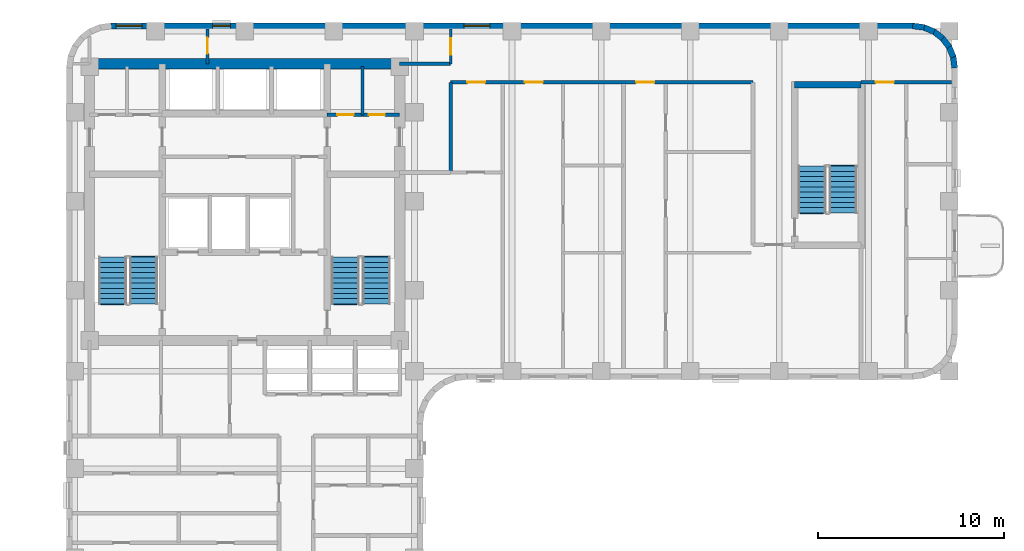
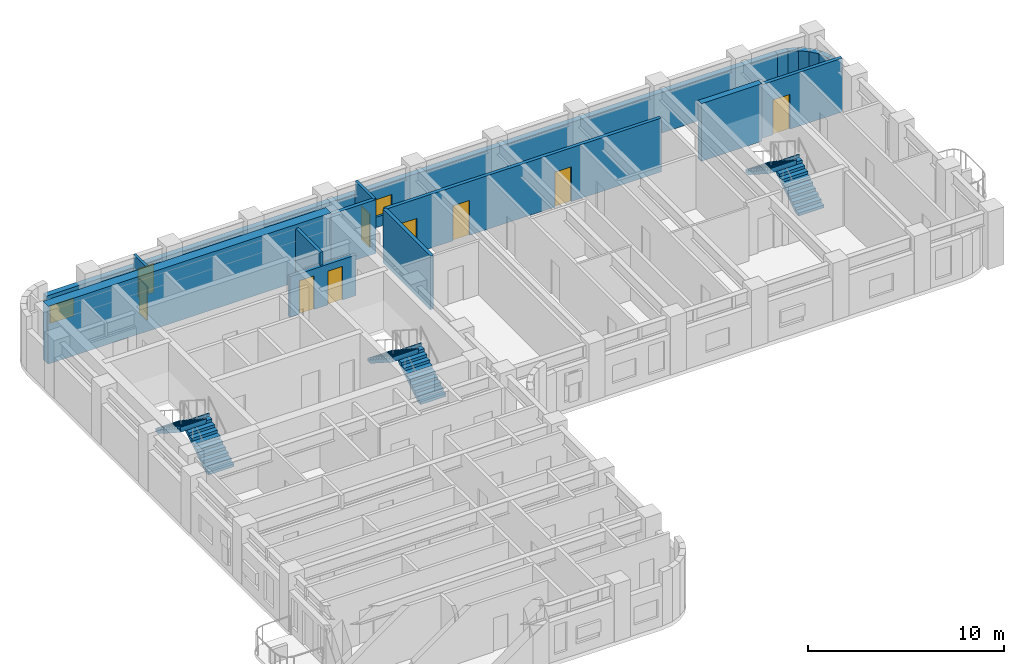
# One storey, part 7 of 10: 17 walls, 8 doors, 6 stair flights, 3 windows, 11 openings, 3 elements without a shape of their own.
"""IFC4 building model written with IfcOpenShell, lengths in metres."""

from ifc_helpers import new_model, si_unit, direction, frame, frame_2d, origin, place, context, subcontext, project, spatial, polyline, rectangle, outline, extrude, material, layer, layer_set, type_object, element, fill, aggregate, save


model = new_model("IFC4")

# Units and contexts
model_context = context("Model", 3, precision=1e-05, world=origin(), true_north=direction((0.0, 1.0)))
body_context = subcontext(model_context, "Body", "Model", "MODEL_VIEW")
ifc_project = project(units=[si_unit("LENGTHUNIT", "METRE"), si_unit("AREAUNIT", "SQUARE_METRE"), si_unit("VOLUMEUNIT", "CUBIC_METRE"), si_unit("PLANEANGLEUNIT", "RADIAN"), si_unit("MASSUNIT", "GRAM", prefix="KILO")], contexts=[model_context])

# Site, building, storey
site_placement = place(None, origin())
site = spatial("IfcSite", under=ifc_project, at=site_placement, CompositionType="ELEMENT")
building_placement = place(site_placement, origin())
building = spatial("IfcBuilding", under=site, at=building_placement, Name="Orvandelia Arch Residences", CompositionType="ELEMENT")
storey_placement = place(building_placement, frame((0.0, 0.0, 110.800048828125)))
storey = spatial("IfcBuildingStorey", under=building, at=storey_placement, Name="L28", CompositionType="ELEMENT", Elevation=110.800048828125)

# Walls
ifc_material_1 = material(Name="Concrete C50/60", Category="concrete")
ifc_layer_1 = layer(ifc_material_1, 0.35009765625, Name="Concrete C50/60", Category="concrete")
ifc_layer_set_1 = layer_set([ifc_layer_1], Name="Concrete C50/60")
wall_type_1 = type_object("IfcWallType", Name="WL-CORE-350", PredefinedType="SHEAR", material=ifc_layer_set_1)
wall_1_placement = place(storey_placement, frame((44.02001953125, 44.659912109375, 0.0), z_axis=(0.0, 0.0, 1.0), x_axis=(1.0, 0.0, 0.0)))
element("IfcWall", 1, at=wall_1_placement, inside=storey, type_object=wall_type_1, Name="East Stair Core Shear Wall L28-N", PredefinedType="SHEAR", context=body_context, shape_type="SweptSolid", body=[
    extrude(rectangle(XDim=3.580078125, YDim=0.35009765625, at=frame_2d((1.7900390625, 0.0))), origin(), (0.0, 0.0, 1.0), 3.599853515625),
])
ifc_material_2 = material(Name="Concrete C60/75", Category="concrete")
ifc_layer_2 = layer(ifc_material_2, 0.550048828125, Name="Concrete C60/75", Category="concrete")
ifc_layer_set_2 = layer_set([ifc_layer_2], Name="Concrete C60/75")
wall_type_2 = type_object("IfcWallType", Name="WL-CORE-550", PredefinedType="SHEAR", material=ifc_layer_set_2)
wall_2_placement = place(storey_placement, frame((6.050048828125, 45.800048828125, 0.0), z_axis=(0.0, 0.0, 1.0), x_axis=(1.0, 0.0, 0.0)))
element("IfcWall", 2, at=wall_2_placement, inside=storey, type_object=wall_type_2, Name="Core Shear Wall L28-N", PredefinedType="SHEAR", context=body_context, shape_type="SweptSolid", body=[
    extrude(rectangle(XDim=16.699951171875, YDim=0.550048828125, at=frame_2d((8.35009765625, 0.0))), origin(), (0.0, 0.0, 1.0), 3.599853515625),
])
ifc_material_3 = material(Name="Fire-Rated Corridor Partition")
ifc_layer_3 = layer(ifc_material_3, 0.199951171875, Name="Fire-Rated Corridor Partition")
ifc_layer_set_3 = layer_set([ifc_layer_3], Name="Fire-Rated Corridor Partition")
wall_type_3 = type_object("IfcWallType", Name="WL-CORR-200", PredefinedType="PARTITIONING", material=ifc_layer_set_3)
wall_3_placement = place(storey_placement, frame((22.75, 45.800048828125, 0.0), z_axis=(0.0, 0.0, 1.0), x_axis=(1.0, 0.0, 0.0)))
element("IfcWall", 3, at=wall_3_placement, inside=storey, type_object=wall_type_3, Name="Interior Partition Wall WL-L28-NCE-S", PredefinedType="PARTITIONING", context=body_context, shape_type="SweptSolid", body=[
    extrude(rectangle(XDim=2.75, YDim=0.199951171875, at=frame_2d((1.375, 0.0))), origin(), (0.0, 0.0, 1.0), 3.35986328125),
])

# Wall, openings, doors
wall_4_placement = place(storey_placement, frame((25.5, 44.800048828125, 0.0), z_axis=(0.0, 0.0, 1.0), x_axis=(1.0, 0.0, 0.0)))
wall_4 = element("IfcWall", 4, at=wall_4_placement, inside=storey, type_object=wall_type_3, Name="Interior Partition Wall WL-L28-EN2-S1", PredefinedType="PARTITIONING", context=body_context, shape_type="SweptSolid", body=[
    extrude(rectangle(XDim=16.280029296875, YDim=0.199951171875, at=frame_2d((8.14013671875, 0.0))), origin(), (0.0, 0.0, 1.0), 3.35986328125),
])
opening_1_placement = place(wall_4_placement, frame((0.89990234375, 0.0, 0.0)))
opening_1 = element("IfcOpeningElement", 5, at=opening_1_placement, cuts=wall_4, Name="Opening D2", PredefinedType="OPENING", context=body_context, shape_type="SweptSolid", body=[
    extrude(rectangle(XDim=0.949951171875, YDim=2.14990234375, at=frame_2d((0.47509765625, 1.074951171875))), frame((0.0, 0.10986328125, 0.0), z_axis=(0.0, -1.0, 0.0), x_axis=(1.0, 0.0, 0.0)), (0.0, 0.0, 1.0), 0.219970703125),
])
opening_2_placement = place(wall_4_placement, frame((3.987548828125, 0.0, 0.0)))
opening_2 = element("IfcOpeningElement", 6, at=opening_2_placement, cuts=wall_4, Name="Opening D1", PredefinedType="OPENING", context=body_context, shape_type="SweptSolid", body=[
    extrude(rectangle(XDim=0.97998046875, YDim=2.179931640625, at=frame_2d((0.489990234375, 1.08984375))), frame((0.0, 0.10986328125, 0.0), z_axis=(0.0, -1.0, 0.0), x_axis=(1.0, 0.0, 0.0)), (0.0, 0.0, 1.0), 0.219970703125),
])
opening_3_placement = place(wall_4_placement, frame((9.989990234375, 0.0, 0.0)))
opening_3 = element("IfcOpeningElement", 7, at=opening_3_placement, cuts=wall_4, Name="Opening D1", PredefinedType="OPENING", context=body_context, shape_type="SweptSolid", body=[
    extrude(rectangle(XDim=0.97998046875, YDim=2.179931640625, at=frame_2d((0.489990234375, 1.08984375))), frame((0.0, 0.10986328125, 0.0), z_axis=(0.0, -1.0, 0.0), x_axis=(1.0, 0.0, 0.0)), (0.0, 0.0, 1.0), 0.219970703125),
])
ifc_material_4 = material(Name="Solid-Core Timber Interior Fire Door", Category="wood")
door_type_1 = type_object("IfcDoorType", Name="DR-APT-950", OperationType="NOTDEFINED", PredefinedType="DOOR", material=ifc_material_4)
door_1_placement = place(opening_1_placement, origin())
door_1 = element("IfcDoor", 8, at=door_1_placement, inside=storey, type_object=door_type_1, Name="DR-L28-EN2KLD", OperationType="SINGLE_SWING_LEFT", OverallHeight=2.14990234375, OverallWidth=0.949951171875, PredefinedType="DOOR", context=body_context, shape_type="SweptSolid", body=[
    extrude(rectangle(XDim=0.949951171875, YDim=2.14990234375, at=frame_2d((0.47509765625, 1.074951171875))), frame((0.0, 0.02490234375, 0.0), z_axis=(0.0, -1.0, 0.0), x_axis=(1.0, 0.0, 0.0)), (0.0, 0.0, 1.0), 0.050048828125),
])
fill(opening_1, door_1)
ifc_material_5 = material(Name="Solid-Core Timber Acoustic Fire Door", Category="wood")
door_type_2 = type_object("IfcDoorType", Name="DR-ENT-980", OperationType="NOTDEFINED", PredefinedType="DOOR", material=ifc_material_5)
door_2_placement = place(opening_2_placement, origin())
door_2 = element("IfcDoor", 9, at=door_2_placement, inside=storey, type_object=door_type_2, Name="Unit L28-08 Entrance Door", OperationType="SINGLE_SWING_RIGHT", OverallHeight=2.179931640625, OverallWidth=0.97998046875, PredefinedType="DOOR", context=body_context, shape_type="SweptSolid", body=[
    extrude(rectangle(XDim=0.97998046875, YDim=2.179931640625, at=frame_2d((0.489990234375, 1.08984375))), frame((0.0, 0.02490234375, 0.0), z_axis=(0.0, -1.0, 0.0), x_axis=(1.0, 0.0, 0.0)), (0.0, 0.0, 1.0), 0.050048828125),
])
fill(opening_2, door_2)
door_3_placement = place(opening_3_placement, origin())
door_3 = element("IfcDoor", 10, at=door_3_placement, inside=storey, type_object=door_type_2, Name="Unit L28-09 Entrance Door", OperationType="SINGLE_SWING_LEFT", OverallHeight=2.179931640625, OverallWidth=0.97998046875, PredefinedType="DOOR", context=body_context, shape_type="SweptSolid", body=[
    extrude(rectangle(XDim=0.97998046875, YDim=2.179931640625, at=frame_2d((0.489990234375, 1.08984375))), frame((0.0, 0.02490234375, 0.0), z_axis=(0.0, -1.0, 0.0), x_axis=(1.0, 0.0, 0.0)), (0.0, 0.0, 1.0), 0.050048828125),
])
fill(opening_3, door_3)

# Wall, opening, door
wall_5_placement = place(storey_placement, frame((47.60009765625, 44.800048828125, 0.0), z_axis=(0.0, 0.0, 1.0), x_axis=(1.0, 0.0, 0.0)))
wall_5 = element("IfcWall", 11, at=wall_5_placement, inside=storey, type_object=wall_type_3, Name="Interior Partition Wall WL-L28-EN2-S2", PredefinedType="PARTITIONING", context=body_context, shape_type="SweptSolid", body=[
    extrude(rectangle(XDim=4.8798828125, YDim=0.199951171875, at=frame_2d((2.43994140625, 0.0))), origin(), (0.0, 0.0, 1.0), 3.35986328125),
])
opening_4_placement = place(wall_5_placement, frame((0.79150390625, 0.0, 0.0)))
opening_4 = element("IfcOpeningElement", 12, at=opening_4_placement, cuts=wall_5, Name="Opening D1", PredefinedType="OPENING", context=body_context, shape_type="SweptSolid", body=[
    extrude(rectangle(XDim=0.97998046875, YDim=2.179931640625, at=frame_2d((0.489990234375, 1.08984375))), frame((0.0, 0.10986328125, 0.0), z_axis=(0.0, -1.0, 0.0), x_axis=(1.0, 0.0, 0.0)), (0.0, 0.0, 1.0), 0.219970703125),
])
door_4_placement = place(opening_4_placement, origin())
door_4 = element("IfcDoor", 13, at=door_4_placement, inside=storey, type_object=door_type_2, Name="Unit L28-10 Entrance Door", OperationType="SINGLE_SWING_RIGHT", OverallHeight=2.179931640625, OverallWidth=0.97998046875, PredefinedType="DOOR", context=body_context, shape_type="SweptSolid", body=[
    extrude(rectangle(XDim=0.97998046875, YDim=2.179931640625, at=frame_2d((0.489990234375, 1.08984375))), frame((0.0, 0.02490234375, 0.0), z_axis=(0.0, -1.0, 0.0), x_axis=(1.0, 0.0, 0.0)), (0.0, 0.0, 1.0), 0.050048828125),
])
fill(opening_4, door_4)

# Wall
wall_6_placement = place(storey_placement, frame((25.5, 39.949951171875, 0.0), z_axis=(0.0, 0.0, 1.0), x_axis=(0.0, 1.0, 0.0)))
element("IfcWall", 14, at=wall_6_placement, inside=storey, type_object=wall_type_3, Name="Interior Partition Wall WL-L28-EN2-LW", PredefinedType="PARTITIONING", context=body_context, shape_type="SweptSolid", body=[
    extrude(rectangle(XDim=4.85009765625, YDim=0.199951171875, at=frame_2d((2.425048828125, 0.0))), origin(), (0.0, 0.0, 1.0), 3.35986328125),
])

# Wall, openings, windows
ifc_material_6 = material(Name="Precast concrete C40/50", Category="concrete")
ifc_layer_4 = layer(ifc_material_6, 0.320068359375, Name="Precast concrete C40/50", Category="concrete")
ifc_layer_set_4 = layer_set([ifc_layer_4], Name="Precast concrete C40/50")
wall_type_4 = type_object("IfcWallType", Name="WL-EXT-STONE-320", PredefinedType="STANDARD", material=ifc_layer_set_4)
wall_7_placement = place(storey_placement, frame((7.199951171875, 47.840087890625, 0.0), z_axis=(0.0, 0.0, 1.0), x_axis=(1.0, 0.0, 0.0)))
wall_7 = element("IfcWall", 15, at=wall_7_placement, inside=storey, type_object=wall_type_4, Name="Coral-Limestone Precast Facade Wall L28-007", PredefinedType="STANDARD", context=body_context, shape_type="SweptSolid", body=[
    extrude(rectangle(XDim=43.199951171875, YDim=0.320068359375, at=frame_2d((21.60009765625, 0.0))), origin(), (0.0, 0.0, 1.0), 2.5400390625),
])
opening_5_placement = place(wall_7_placement, frame((19.00244140625, 0.0, 0.64990234375)))
opening_5 = element("IfcOpeningElement", 16, at=opening_5_placement, cuts=wall_7, Name="Opening W10", PredefinedType="OPENING", context=body_context, shape_type="SweptSolid", body=[
    extrude(rectangle(XDim=1.39990234375, YDim=1.10009765625, at=frame_2d((0.699951171875, 0.550048828125))), frame((0.0, 0.169921875, 0.0), z_axis=(0.0, -1.0, 0.0), x_axis=(1.0, 0.0, 0.0)), (0.0, 0.0, 1.0), 0.340087890625),
])
opening_6_placement = place(wall_7_placement, frame((0.282470703125, 0.0, 0.64990234375)))
opening_6 = element("IfcOpeningElement", 17, at=opening_6_placement, cuts=wall_7, Name="Opening W10", PredefinedType="OPENING", context=body_context, shape_type="SweptSolid", body=[
    extrude(rectangle(XDim=1.39990234375, YDim=1.10009765625, at=frame_2d((0.699951171875, 0.550048828125))), frame((0.0, 0.169921875, 0.0), z_axis=(0.0, -1.0, 0.0), x_axis=(1.0, 0.0, 0.0)), (0.0, 0.0, 1.0), 0.340087890625),
])
opening_7_placement = place(wall_7_placement, frame((5.4775390625, 0.0, 0.449951171875)))
opening_7 = element("IfcOpeningElement", 18, at=opening_7_placement, cuts=wall_7, Name="Opening W4", PredefinedType="OPENING", context=body_context, shape_type="SweptSolid", body=[
    extrude(rectangle(XDim=0.949951171875, YDim=1.800048828125, at=frame_2d((0.47509765625, 0.89990234375))), frame((0.0, 0.169921875, 0.0), z_axis=(0.0, -1.0, 0.0), x_axis=(1.0, 0.0, 0.0)), (0.0, 0.0, 1.0), 0.340087890625),
])
ifc_material_7 = material(Name="Tempered Low-E Insulated Glazing", Category="glass")
window_type_1 = type_object("IfcWindowType", Name="WIN-CLR-1400x1100", PartitioningType="SINGLE_PANEL", PredefinedType="WINDOW", material=ifc_material_7)
window_1_placement = place(opening_5_placement, origin())
window_1 = element("IfcWindow", 19, at=window_1_placement, inside=storey, type_object=window_type_1, Name="Recessed Punched Window L28-001", OverallHeight=1.10009765625, OverallWidth=1.39990234375, PartitioningType="SINGLE_PANEL", PredefinedType="WINDOW", context=body_context, shape_type="SweptSolid", body=[
    extrude(rectangle(XDim=1.39990234375, YDim=1.10009765625, at=frame_2d((0.699951171875, 0.550048828125))), frame((0.0, 0.030029296875, 0.0), z_axis=(0.0, -1.0, 0.0), x_axis=(1.0, 0.0, 0.0)), (0.0, 0.0, 1.0), 0.06005859375),
])
fill(opening_5, window_1)
window_2_placement = place(opening_6_placement, origin())
window_2 = element("IfcWindow", 20, at=window_2_placement, inside=storey, type_object=window_type_1, Name="Recessed Punched Window L28-002", OverallHeight=1.10009765625, OverallWidth=1.39990234375, PartitioningType="SINGLE_PANEL", PredefinedType="WINDOW", context=body_context, shape_type="SweptSolid", body=[
    extrude(rectangle(XDim=1.39990234375, YDim=1.10009765625, at=frame_2d((0.699951171875, 0.550048828125))), frame((0.0, 0.030029296875, 0.0), z_axis=(0.0, -1.0, 0.0), x_axis=(1.0, 0.0, 0.0)), (0.0, 0.0, 1.0), 0.06005859375),
])
fill(opening_6, window_2)
window_type_2 = type_object("IfcWindowType", Name="WIN-RES-0950x1800", PartitioningType="SINGLE_PANEL", PredefinedType="WINDOW", material=ifc_material_7)
window_3_placement = place(opening_7_placement, origin())
window_3 = element("IfcWindow", 21, at=window_3_placement, inside=storey, type_object=window_type_2, Name="Recessed Punched Window L28-003", OverallHeight=1.800048828125, OverallWidth=0.949951171875, PartitioningType="SINGLE_PANEL", PredefinedType="WINDOW", context=body_context, shape_type="SweptSolid", body=[
    extrude(rectangle(XDim=0.949951171875, YDim=1.800048828125, at=frame_2d((0.47509765625, 0.89990234375))), frame((0.0, 0.030029296875, 0.0), z_axis=(0.0, -1.0, 0.0), x_axis=(1.0, 0.0, 0.0)), (0.0, 0.0, 1.0), 0.06005859375),
])
fill(opening_7, window_3)

# Walls
for number, where, z_axis, x_axis, name in (
    (22, (50.379150390625, 47.84130859375, 0.0), (0.0, 0.0, 1.0), (0.9914410257, -0.130555323746, 0.0), "Coral-Limestone Precast Facade Wall L28-008"),
    (23, (50.9599609375, 47.7705078125, 0.0), (0.0, 0.0, 1.0), (0.92389335771, -0.382650053678, 0.0), "Coral-Limestone Precast Facade Wall L28-009"),
    (24, (51.502685546875, 47.551513671875, 0.0), (0.0, 0.0, 1.0), (0.793405610854, -0.608693302629, 0.0), "Coral-Limestone Precast Facade Wall L28-010"),
    (25, (51.97021484375, 47.19970703125, 0.0), (0.0, 0.0, 1.0), (0.608693302629, -0.793405610854, 0.0), "Coral-Limestone Precast Facade Wall L28-011"),
    (26, (52.330810546875, 46.73876953125, 0.0), (0.0, 0.0, 1.0), (0.382317370307, -0.924031075431, 0.0), "Coral-Limestone Precast Facade Wall L28-012"),
    (27, (52.5595703125, 46.2001953125, 0.0), (0.0, 0.0, 1.0), (0.130555323746, -0.9914410257, 0.0), "Coral-Limestone Precast Facade Wall L28-013"),
):
    element("IfcWall", number, at=place(storey_placement, frame(where, z_axis=z_axis, x_axis=x_axis)), inside=storey, type_object=wall_type_4, Name=name, PredefinedType="STANDARD", context=body_context, shape_type="SweptSolid", body=[
        extrude(rectangle(XDim=0.62646484375, YDim=0.320068359375, at=frame_2d((0.313232421875, 0.0))), origin(), (0.0, 0.0, 1.0), 2.5400390625),
    ])

# Wall, opening, door
ifc_material_8 = material(Name="Acoustic Gypsum Stud Partition")
ifc_layer_5 = layer(ifc_material_8, 0.14990234375, Name="Acoustic Gypsum Stud Partition")
ifc_layer_set_5 = layer_set([ifc_layer_5], Name="Acoustic Gypsum Stud Partition")
wall_type_5 = type_object("IfcWallType", Name="WL-PART-150", PredefinedType="PARTITIONING", material=ifc_layer_set_5)
wall_8_placement = place(storey_placement, frame((25.5, 45.800048828125, 0.0), z_axis=(0.0, 0.0, 1.0), x_axis=(0.0, 1.0, 0.0)))
wall_8 = element("IfcWall", 28, at=wall_8_placement, inside=storey, type_object=wall_type_5, Name="Interior Partition Wall WL-L28-NCE-W", PredefinedType="PARTITIONING", context=body_context, shape_type="SweptSolid", body=[
    extrude(rectangle(XDim=1.8798828125, YDim=0.14990234375, at=frame_2d((0.93994140625, 0.0))), origin(), (0.0, 0.0, 1.0), 3.35986328125),
])
opening_8_placement = place(wall_8_placement, frame((0.5, 0.0, 0.0)))
opening_8 = element("IfcOpeningElement", 29, at=opening_8_placement, cuts=wall_8, Name="Opening D5", PredefinedType="OPENING", context=body_context, shape_type="SweptSolid", body=[
    extrude(rectangle(XDim=0.8798828125, YDim=2.10009765625, at=frame_2d((0.43994140625, 1.050048828125))), frame((0.0, 0.0849609375, 0.0), z_axis=(0.0, -1.0, 0.0), x_axis=(1.0, 0.0, 0.0)), (0.0, 0.0, 1.0), 0.169921875),
])
ifc_material_9 = material(Name="Painted Galvanised Steel Service Door", Category="steel")
door_type_3 = type_object("IfcDoorType", Name="DR-SRV-880", OperationType="NOTDEFINED", PredefinedType="DOOR", material=ifc_material_9)
door_5_placement = place(opening_8_placement, origin())
door_5 = element("IfcDoor", 30, at=door_5_placement, inside=storey, type_object=door_type_3, Name="DR-L28-NCS2", OperationType="SINGLE_SWING_LEFT", OverallHeight=2.10009765625, OverallWidth=0.8798828125, PredefinedType="DOOR", context=body_context, shape_type="SweptSolid", body=[
    extrude(rectangle(XDim=0.8798828125, YDim=2.10009765625, at=frame_2d((0.43994140625, 1.050048828125))), frame((0.0, 0.02490234375, 0.0), z_axis=(0.0, -1.0, 0.0), x_axis=(1.0, 0.0, 0.0)), (0.0, 0.0, 1.0), 0.050048828125),
])
fill(opening_8, door_5)

wall_9_placement = place(storey_placement, frame((12.39990234375, 45.800048828125, 0.0), z_axis=(0.0, 0.0, 1.0), x_axis=(0.0, 1.0, 0.0)))
wall_9 = element("IfcWall", 31, at=wall_9_placement, inside=storey, type_object=wall_type_5, Name="Interior Partition Wall WL-L28-NC-M", PredefinedType="PARTITIONING", context=body_context, shape_type="SweptSolid", body=[
    extrude(rectangle(XDim=1.8798828125, YDim=0.14990234375, at=frame_2d((0.93994140625, 0.0))), origin(), (0.0, 0.0, 1.0), 3.35986328125),
])
opening_9_placement = place(wall_9_placement, frame((0.550048828125, 0.0, 0.0)))
opening_9 = element("IfcOpeningElement", 32, at=opening_9_placement, cuts=wall_9, Name="Opening D4", PredefinedType="OPENING", context=body_context, shape_type="SweptSolid", body=[
    extrude(rectangle(XDim=0.860107421875, YDim=2.10009765625, at=frame_2d((0.43017578125, 1.050048828125))), frame((0.0, 0.0849609375, 0.0), z_axis=(0.0, -1.0, 0.0), x_axis=(1.0, 0.0, 0.0)), (0.0, 0.0, 1.0), 0.169921875),
])
ifc_material_10 = material(Name="Moisture-Sealed Timber Bathroom Door", Category="wood")
door_type_4 = type_object("IfcDoorType", Name="DR-WET-900", OperationType="NOTDEFINED", PredefinedType="DOOR", material=ifc_material_10)
door_6_placement = place(opening_9_placement, origin())
door_6 = element("IfcDoor", 33, at=door_6_placement, inside=storey, type_object=door_type_4, Name="DR-L28-NCS1", OperationType="SINGLE_SWING_LEFT", OverallHeight=2.10009765625, OverallWidth=0.860107421875, PredefinedType="DOOR", context=body_context, shape_type="SweptSolid", body=[
    extrude(rectangle(XDim=0.860107421875, YDim=2.10009765625, at=frame_2d((0.43017578125, 1.050048828125))), frame((0.0, 0.02490234375, 0.0), z_axis=(0.0, -1.0, 0.0), x_axis=(1.0, 0.0, 0.0)), (0.0, 0.0, 1.0), 0.050048828125),
])
fill(opening_9, door_6)

# Wall, openings, doors
ifc_material_11 = material(Name="Fire-Rated Shaft Enclosure Wall")
ifc_layer_6 = layer(ifc_material_11, 0.199951171875, Name="Fire-Rated Shaft Enclosure Wall")
ifc_layer_set_6 = layer_set([ifc_layer_6], Name="Fire-Rated Shaft Enclosure Wall")
wall_type_6 = type_object("IfcWallType", Name="WL-SHAFT-200", PredefinedType="POLYGONAL", material=ifc_layer_set_6)
wall_10_placement = place(storey_placement, frame((18.840087890625, 43.050048828125, 0.0), z_axis=(0.0, 0.0, 1.0), x_axis=(1.0, 0.0, 0.0)))
wall_10 = element("IfcWall", 34, at=wall_10_placement, inside=storey, type_object=wall_type_6, Name="Interior Partition Wall WL-L28-HLE-N", PredefinedType="POLYGONAL", context=body_context, shape_type="SweptSolid", body=[
    extrude(rectangle(XDim=3.909912109375, YDim=0.199951171875, at=frame_2d((1.955078125, 0.0))), origin(), (0.0, 0.0, 1.0), 2.5400390625),
])
opening_10_placement = place(wall_10_placement, frame((0.550048828125, 0.0, 0.0)))
opening_10 = element("IfcOpeningElement", 35, at=opening_10_placement, cuts=wall_10, Name="Opening D5", PredefinedType="OPENING", context=body_context, shape_type="SweptSolid", body=[
    extrude(rectangle(XDim=0.8798828125, YDim=2.10009765625, at=frame_2d((0.43994140625, 1.050048828125))), frame((0.0, 0.10986328125, 0.0), z_axis=(0.0, -1.0, 0.0), x_axis=(1.0, 0.0, 0.0)), (0.0, 0.0, 1.0), 0.219970703125),
])
opening_11_placement = place(wall_10_placement, frame((2.25, 0.0, 0.0)))
opening_11 = element("IfcOpeningElement", 36, at=opening_11_placement, cuts=wall_10, Name="Opening D4", PredefinedType="OPENING", context=body_context, shape_type="SweptSolid", body=[
    extrude(rectangle(XDim=0.860107421875, YDim=2.10009765625, at=frame_2d((0.43017578125, 1.050048828125))), frame((0.0, 0.10986328125, 0.0), z_axis=(0.0, -1.0, 0.0), x_axis=(1.0, 0.0, 0.0)), (0.0, 0.0, 1.0), 0.219970703125),
])
door_7_placement = place(opening_10_placement, origin())
door_7 = element("IfcDoor", 37, at=door_7_placement, inside=storey, type_object=door_type_3, Name="DR-L28-CSB1", OperationType="SINGLE_SWING_LEFT", OverallHeight=2.10009765625, OverallWidth=0.8798828125, PredefinedType="DOOR", context=body_context, shape_type="SweptSolid", body=[
    extrude(rectangle(XDim=0.8798828125, YDim=2.10009765625, at=frame_2d((0.43994140625, 1.050048828125))), frame((0.0, 0.02490234375, 0.0), z_axis=(0.0, -1.0, 0.0), x_axis=(1.0, 0.0, 0.0)), (0.0, 0.0, 1.0), 0.050048828125),
])
fill(opening_10, door_7)
door_8_placement = place(opening_11_placement, origin())
door_8 = element("IfcDoor", 38, at=door_8_placement, inside=storey, type_object=door_type_4, Name="DR-L28-CSB2", OperationType="SINGLE_SWING_RIGHT", OverallHeight=2.10009765625, OverallWidth=0.860107421875, PredefinedType="DOOR", context=body_context, shape_type="SweptSolid", body=[
    extrude(rectangle(XDim=0.860107421875, YDim=2.10009765625, at=frame_2d((0.43017578125, 1.050048828125))), frame((0.0, 0.02490234375, 0.0), z_axis=(0.0, -1.0, 0.0), x_axis=(1.0, 0.0, 0.0)), (0.0, 0.0, 1.0), 0.050048828125),
])
fill(opening_11, door_8)

# Wall
ifc_material_12 = material(Name="Moisture-Resistant Plumbing Wall")
ifc_layer_7 = layer(ifc_material_12, 0.179931640625, Name="Moisture-Resistant Plumbing Wall")
ifc_layer_set_7 = layer_set([ifc_layer_7], Name="Moisture-Resistant Plumbing Wall")
wall_type_7 = type_object("IfcWallType", Name="WL-WET-180", PredefinedType="PLUMBINGWALL", material=ifc_layer_set_7)
wall_11_placement = place(storey_placement, frame((20.75, 43.050048828125, 0.0), z_axis=(0.0, 0.0, 1.0), x_axis=(0.0, 1.0, 0.0)))
element("IfcWall", 39, at=wall_11_placement, inside=storey, type_object=wall_type_7, Name="Interior Partition Wall WL-L28-CSB-1", PredefinedType="PLUMBINGWALL", context=body_context, shape_type="SweptSolid", body=[
    extrude(rectangle(XDim=2.599853515625, YDim=0.179931640625, at=frame_2d((1.2998046875, 0.0))), origin(), (0.0, 0.0, 1.0), 3.35986328125),
])

# Stair, stair flights
ifc_material_13 = material(Name="Concrete C40/50", Category="concrete")
stair_type = type_object("IfcStairType", Name="STAIR-RC-DOGLEG", PredefinedType="HALF_TURN_STAIR", material=ifc_material_13)
stair_1_placement = place(storey_placement, origin())
stair_1 = element("IfcStair", 40, at=stair_1_placement, inside=storey, type_object=stair_type, Name="L28 Protected Exit Stair ST-1", PredefinedType="HALF_TURN_STAIR")
stair_flight_type = type_object("IfcStairFlightType", Name="STFLT-RC-1520", PredefinedType="STRAIGHT", material=ifc_material_13)
stair_flight_1_placement = place(storey_placement, frame((8.9599609375, 32.8701171875, 0.0), z_axis=(0.0, 0.0, 1.0), x_axis=(0.0, 1.0, 0.0)))
stair_flight_1 = element("IfcStairFlight", 41, at=stair_flight_1_placement, type_object=stair_flight_type, Name="ST-1 flight 1", NumberOfRisers=10, NumberOfTreads=9, PredefinedType="STRAIGHT", RiserHeight=0.18, TreadLength=0.28, context=body_context, shape_type="SweptSolid", body=[
    extrude(outline(polyline([(0.0, 0.0), (0.0, 0.179931640625), (0.280029296875, 0.179931640625), (0.280029296875, 0.360107421875), (0.56005859375, 0.360107421875), (0.56005859375, 0.5400390625), (0.840087890625, 0.5400390625), (0.840087890625, 0.719970703125), (1.1201171875, 0.719970703125), (1.1201171875, 0.89990234375), (1.39990234375, 0.89990234375), (1.39990234375, 1.080078125), (1.679931640625, 1.080078125), (1.679931640625, 1.260009765625), (1.9599609375, 1.260009765625), (1.9599609375, 1.43994140625), (2.239990234375, 1.43994140625), (2.239990234375, 1.6201171875), (2.52001953125, 1.6201171875), (2.52001953125, 1.800048828125), (2.580078125, 1.800048828125), (2.580078125, 1.6201171875), (2.52001953125, 1.44189453125), (0.277099609375, 0.0), (0.0, 0.0)])), frame((0.0, 0.760009765625, 0.0), z_axis=(0.0, -1.0, 0.0), x_axis=(1.0, 0.0, 0.0)), (0.0, 0.0, 1.0), 1.52001953125),
])
stair_flight_2_placement = place(storey_placement, frame((7.2900390625, 35.389892578125, 1.800048828125), z_axis=(0.0, 0.0, 1.0), x_axis=(0.0, -1.0, 0.0)))
stair_flight_2 = element("IfcStairFlight", 42, at=stair_flight_2_placement, type_object=stair_flight_type, Name="ST-1 flight 2", NumberOfRisers=10, NumberOfTreads=9, PredefinedType="STRAIGHT", RiserHeight=0.18, TreadLength=0.28, context=body_context, shape_type="SweptSolid", body=[
    extrude(outline(polyline([(0.0, 0.0), (0.0, 0.179931640625), (0.280029296875, 0.179931640625), (0.280029296875, 0.360107421875), (0.56005859375, 0.360107421875), (0.56005859375, 0.5400390625), (0.840087890625, 0.5400390625), (0.840087890625, 0.719970703125), (1.1201171875, 0.719970703125), (1.1201171875, 0.89990234375), (1.39990234375, 0.89990234375), (1.39990234375, 1.080078125), (1.679931640625, 1.080078125), (1.679931640625, 1.260009765625), (1.9599609375, 1.260009765625), (1.9599609375, 1.43994140625), (2.239990234375, 1.43994140625), (2.239990234375, 1.6201171875), (2.52001953125, 1.6201171875), (2.52001953125, 1.800048828125), (2.580078125, 1.800048828125), (2.580078125, 1.6201171875), (2.52001953125, 1.44189453125), (0.277099609375, 0.0), (0.0, 0.0)])), frame((0.0, 0.760009765625, 0.0), z_axis=(0.0, -1.0, 0.0), x_axis=(1.0, 0.0, 0.0)), (0.0, 0.0, 1.0), 1.52001953125),
])
aggregate(stair_1, [stair_flight_1, stair_flight_2])

stair_2_placement = place(storey_placement, origin())
stair_2 = element("IfcStair", 43, at=stair_2_placement, inside=storey, type_object=stair_type, Name="L28 Protected Exit Stair ST-2", PredefinedType="HALF_TURN_STAIR")
stair_flight_3_placement = place(storey_placement, frame((21.489990234375, 32.8701171875, 0.0), z_axis=(0.0, 0.0, 1.0), x_axis=(0.0, 1.0, 0.0)))
stair_flight_3 = element("IfcStairFlight", 44, at=stair_flight_3_placement, type_object=stair_flight_type, Name="ST-2 flight 1", NumberOfRisers=10, NumberOfTreads=9, PredefinedType="STRAIGHT", RiserHeight=0.18, TreadLength=0.28, context=body_context, shape_type="SweptSolid", body=[
    extrude(outline(polyline([(0.0, 0.0), (0.0, 0.179931640625), (0.280029296875, 0.179931640625), (0.280029296875, 0.360107421875), (0.56005859375, 0.360107421875), (0.56005859375, 0.5400390625), (0.840087890625, 0.5400390625), (0.840087890625, 0.719970703125), (1.1201171875, 0.719970703125), (1.1201171875, 0.89990234375), (1.39990234375, 0.89990234375), (1.39990234375, 1.080078125), (1.679931640625, 1.080078125), (1.679931640625, 1.260009765625), (1.9599609375, 1.260009765625), (1.9599609375, 1.43994140625), (2.239990234375, 1.43994140625), (2.239990234375, 1.6201171875), (2.52001953125, 1.6201171875), (2.52001953125, 1.800048828125), (2.580078125, 1.800048828125), (2.580078125, 1.6201171875), (2.52001953125, 1.44189453125), (0.277099609375, 0.0), (0.0, 0.0)])), frame((0.0, 0.760009765625, 0.0), z_axis=(0.0, -1.0, 0.0), x_axis=(1.0, 0.0, 0.0)), (0.0, 0.0, 1.0), 1.52001953125),
])
stair_flight_4_placement = place(storey_placement, frame((19.820068359375, 35.389892578125, 1.800048828125), z_axis=(0.0, 0.0, 1.0), x_axis=(0.0, -1.0, 0.0)))
stair_flight_4 = element("IfcStairFlight", 45, at=stair_flight_4_placement, type_object=stair_flight_type, Name="ST-2 flight 2", NumberOfRisers=10, NumberOfTreads=9, PredefinedType="STRAIGHT", RiserHeight=0.18, TreadLength=0.28, context=body_context, shape_type="SweptSolid", body=[
    extrude(outline(polyline([(0.0, 0.0), (0.0, 0.179931640625), (0.280029296875, 0.179931640625), (0.280029296875, 0.360107421875), (0.56005859375, 0.360107421875), (0.56005859375, 0.5400390625), (0.840087890625, 0.5400390625), (0.840087890625, 0.719970703125), (1.1201171875, 0.719970703125), (1.1201171875, 0.89990234375), (1.39990234375, 0.89990234375), (1.39990234375, 1.080078125), (1.679931640625, 1.080078125), (1.679931640625, 1.260009765625), (1.9599609375, 1.260009765625), (1.9599609375, 1.43994140625), (2.239990234375, 1.43994140625), (2.239990234375, 1.6201171875), (2.52001953125, 1.6201171875), (2.52001953125, 1.800048828125), (2.580078125, 1.800048828125), (2.580078125, 1.6201171875), (2.52001953125, 1.44189453125), (0.277099609375, 0.0), (0.0, 0.0)])), frame((0.0, 0.760009765625, 0.0), z_axis=(0.0, -1.0, 0.0), x_axis=(1.0, 0.0, 0.0)), (0.0, 0.0, 1.0), 1.52001953125),
])
aggregate(stair_2, [stair_flight_3, stair_flight_4])

stair_3_placement = place(storey_placement, origin())
stair_3 = element("IfcStair", 46, at=stair_3_placement, inside=storey, type_object=stair_type, Name="L28 East Wing Exit Stair ST-3", PredefinedType="HALF_TURN_STAIR")
stair_flight_5_placement = place(storey_placement, frame((46.639892578125, 37.77001953125, 0.0), z_axis=(0.0, 0.0, 1.0), x_axis=(0.0, 1.0, 0.0)))
stair_flight_5 = element("IfcStairFlight", 47, at=stair_flight_5_placement, type_object=stair_flight_type, Name="ST-3 flight 1", NumberOfRisers=10, NumberOfTreads=9, PredefinedType="STRAIGHT", RiserHeight=0.18, TreadLength=0.28, context=body_context, shape_type="SweptSolid", body=[
    extrude(outline(polyline([(0.0, 0.0), (0.0, 0.179931640625), (0.280029296875, 0.179931640625), (0.280029296875, 0.360107421875), (0.56005859375, 0.360107421875), (0.56005859375, 0.5400390625), (0.840087890625, 0.5400390625), (0.840087890625, 0.719970703125), (1.1201171875, 0.719970703125), (1.1201171875, 0.89990234375), (1.39990234375, 0.89990234375), (1.39990234375, 1.080078125), (1.679931640625, 1.080078125), (1.679931640625, 1.260009765625), (1.9599609375, 1.260009765625), (1.9599609375, 1.43994140625), (2.239990234375, 1.43994140625), (2.239990234375, 1.6201171875), (2.52001953125, 1.6201171875), (2.52001953125, 1.800048828125), (2.580078125, 1.800048828125), (2.580078125, 1.6201171875), (2.52001953125, 1.44189453125), (0.277099609375, 0.0), (0.0, 0.0)])), frame((0.0, 0.760009765625, 0.0), z_axis=(0.0, -1.0, 0.0), x_axis=(1.0, 0.0, 0.0)), (0.0, 0.0, 1.0), 1.52001953125),
])
stair_flight_6_placement = place(storey_placement, frame((44.969970703125, 40.2900390625, 1.800048828125), z_axis=(0.0, 0.0, 1.0), x_axis=(0.0, -1.0, 0.0)))
stair_flight_6 = element("IfcStairFlight", 48, at=stair_flight_6_placement, type_object=stair_flight_type, Name="ST-3 flight 2", NumberOfRisers=10, NumberOfTreads=9, PredefinedType="STRAIGHT", RiserHeight=0.18, TreadLength=0.28, context=body_context, shape_type="SweptSolid", body=[
    extrude(outline(polyline([(0.0, 0.0), (0.0, 0.179931640625), (0.280029296875, 0.179931640625), (0.280029296875, 0.360107421875), (0.56005859375, 0.360107421875), (0.56005859375, 0.5400390625), (0.840087890625, 0.5400390625), (0.840087890625, 0.719970703125), (1.1201171875, 0.719970703125), (1.1201171875, 0.89990234375), (1.39990234375, 0.89990234375), (1.39990234375, 1.080078125), (1.679931640625, 1.080078125), (1.679931640625, 1.260009765625), (1.9599609375, 1.260009765625), (1.9599609375, 1.43994140625), (2.239990234375, 1.43994140625), (2.239990234375, 1.6201171875), (2.52001953125, 1.6201171875), (2.52001953125, 1.800048828125), (2.580078125, 1.800048828125), (2.580078125, 1.6201171875), (2.52001953125, 1.44189453125), (0.277099609375, 0.0), (0.0, 0.0)])), frame((0.0, 0.760009765625, 0.0), z_axis=(0.0, -1.0, 0.0), x_axis=(1.0, 0.0, 0.0)), (0.0, 0.0, 1.0), 1.52001953125),
])
aggregate(stair_3, [stair_flight_5, stair_flight_6])

save(model, "model.ifc")
